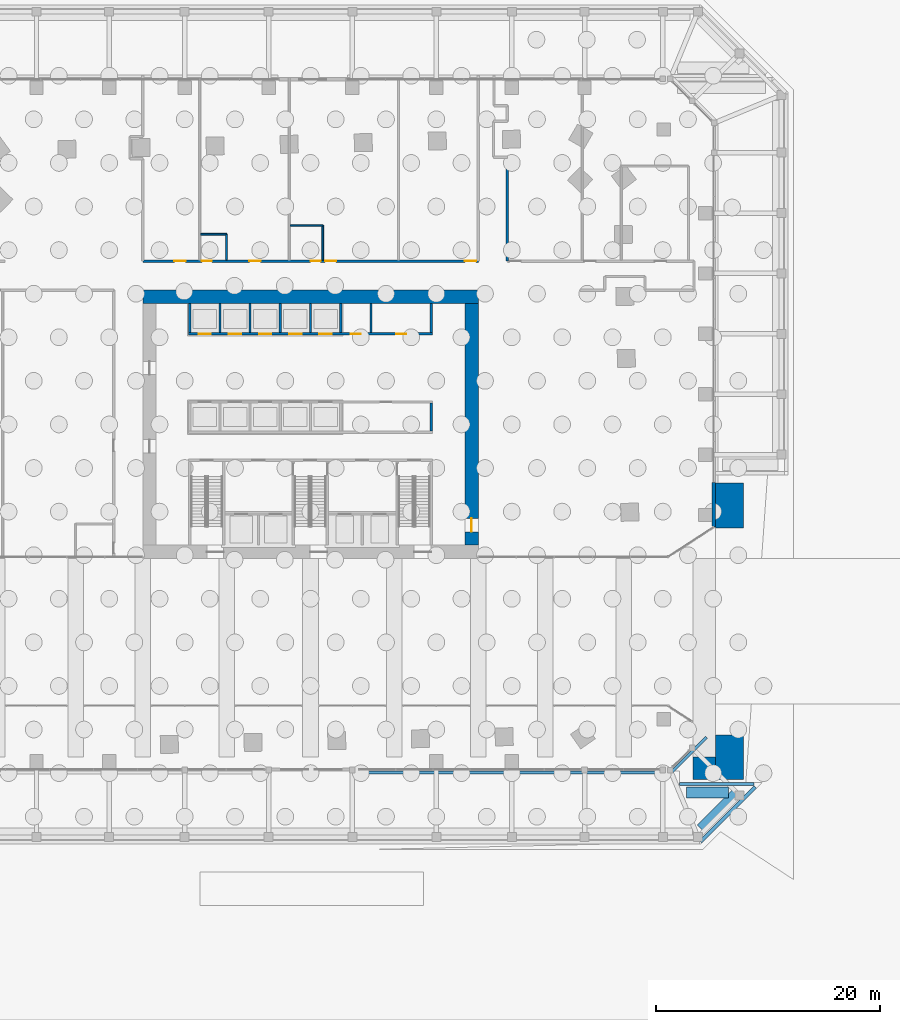
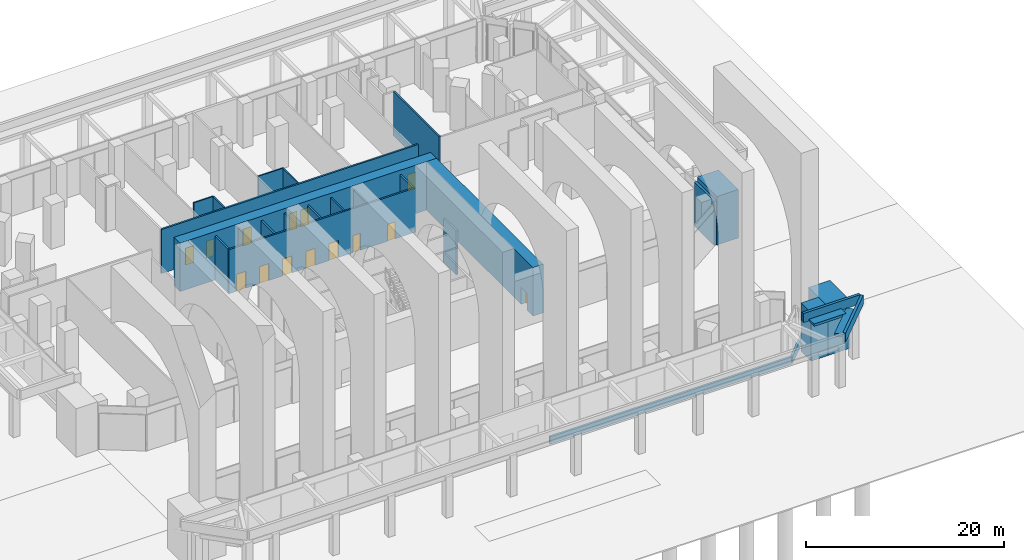
# One storey, part 40 of 46: 28 walls, 14 doors, 14 openings.
"""IFC4 building model written with IfcOpenShell, lengths in metres."""

import ifcopenshell
import ifcopenshell.guid

model = None  # the IFC model being written
_history = None  # IfcOwnerHistory: only IFC2X3 demands one
_inside = {}  # id of a spatial element -> (the spatial element, [elements in it])
_under = {}  # id of a project, library or spatial element -> (it, [spatial elements below it])
_declared = {}  # id of a project -> (the project, [libraries it declares])
_typed = {}  # id of a type object -> (the type object, [elements of that type])
_made_of = {}  # id of a material, layer set ... -> (it, [elements and type objects made of it])


def new_model(schema):
    """Start an empty IFC model of exactly this schema.

    Asked for "IFC4X3", IfcOpenShell would pick the latest addendum, in which some entities
    have other attributes; the version numbers below select the first issue.
    IFC2X3 requires an IfcOwnerHistory on every rooted entity: one is made here for all.
    """
    global model, _history
    if schema == "IFC4X3":
        model = ifcopenshell.file(schema_version=(4, 3, 0, 0))
    else:
        model = ifcopenshell.file(schema=schema)
    _inside.clear()
    _under.clear()
    _declared.clear()
    _typed.clear()
    _made_of.clear()
    _history = None
    if model.schema == "IFC2X3":
        org = make("IfcOrganization", Name="unknown")
        user = make(
            "IfcPersonAndOrganization",
            ThePerson=make("IfcPerson", FamilyName="unknown"),
            TheOrganization=org,
        )
        app = make(
            "IfcApplication",
            ApplicationDeveloper=org,
            Version="unknown",
            ApplicationFullName="unknown",
            ApplicationIdentifier="unknown",
        )
        _history = make(
            "IfcOwnerHistory",
            OwningUser=user,
            OwningApplication=app,
            ChangeAction="ADDED",
            CreationDate=0,
        )
    return model


def make(cls, **values):
    """One entity of the class cls with the attributes given. An attribute that is None is left unset."""
    return model.create_entity(
        cls, **{name: value for name, value in values.items() if value is not None}
    )


def rooted(cls, **values):
    """An entity with a GlobalId (a new one), such as an element, a storey or a relation."""
    return make(cls, GlobalId=ifcopenshell.guid.new(), OwnerHistory=_history, **values)


def si_unit(unit_type, name, prefix=None):
    """IfcSIUnit, for example si_unit("LENGTHUNIT", "METRE", prefix="MILLI")."""
    return make("IfcSIUnit", UnitType=unit_type, Prefix=prefix, Name=name)


def assignment(units):
    """IfcUnitAssignment: the units of a project."""
    return None if units is None else make("IfcUnitAssignment", Units=units)


def point(xyz):
    """IfcCartesianPoint."""
    return None if xyz is None else make("IfcCartesianPoint", Coordinates=xyz)


def direction(xyz):
    """IfcDirection."""
    return None if xyz is None else make("IfcDirection", DirectionRatios=xyz)


def frame(location, z_axis=None, x_axis=None):
    """IfcAxis2Placement3D, a coordinate frame: its origin and axes. An axis left out is left unset."""
    return make(
        "IfcAxis2Placement3D",
        Location=point(location),
        Axis=direction(z_axis),
        RefDirection=direction(x_axis),
    )


def frame_2d(location, x_axis=None):
    """IfcAxis2Placement2D, a coordinate frame in the plane: its origin and x axis."""
    return make(
        "IfcAxis2Placement2D", Location=point(location), RefDirection=direction(x_axis)
    )


def origin():
    """The frame at (0, 0, 0) with its axes left unset."""
    return frame((0.0, 0.0, 0.0))


def place(relative_to, where):
    """IfcLocalPlacement: puts the frame where relative to a parent placement (None: the world)."""
    return make(
        "IfcLocalPlacement", PlacementRelTo=relative_to, RelativePlacement=where
    )


def context(
    kind, dimensions, precision=None, world=None, true_north=None, identifier=None
):
    """IfcGeometricRepresentationContext, for example the 3D "Model" context."""
    return make(
        "IfcGeometricRepresentationContext",
        ContextIdentifier=identifier,
        ContextType=kind,
        CoordinateSpaceDimension=dimensions,
        Precision=precision,
        WorldCoordinateSystem=world,
        TrueNorth=true_north,
    )


def subcontext(parent, identifier, kind, view, scale=None):
    """IfcGeometricRepresentationSubContext, for example "Body" below "Model"."""
    return make(
        "IfcGeometricRepresentationSubContext",
        ContextIdentifier=identifier,
        ContextType=kind,
        ParentContext=parent,
        TargetScale=scale,
        TargetView=view,
    )


def project(units=None, contexts=None):
    """IfcProject with its units and contexts."""
    return rooted(
        "IfcProject",
        Name="project",
        RepresentationContexts=contexts,
        UnitsInContext=assignment(units),
    )


def spatial(cls, under=None, at=None, **own):
    """A site, building, storey or space (cls), placed at a placement, below another one or the project."""
    s = rooted(cls, ObjectPlacement=at, **own)
    if under is not None:
        _under.setdefault(under.id(), (under, []))[1].append(s)
    return s


def profile(cls, at=None, kind="AREA", **sizes):
    """A parametric profile (cls). Its sizes go by their IFC names, for example OverallWidth=200.0."""
    return make(cls, ProfileType=kind, Position=at, **sizes)


def rectangle(**sizes):
    """IfcRectangleProfileDef."""
    return profile("IfcRectangleProfileDef", **sizes)


def extrude(swept, where, along, depth):
    """IfcExtrudedAreaSolid: the profile swept, set in the frame where, extruded along a direction by depth."""
    return make(
        "IfcExtrudedAreaSolid",
        SweptArea=swept,
        Position=where,
        ExtrudedDirection=direction(along),
        Depth=depth,
    )


def shape(context_of_items, identifier, shape_type, items):
    """IfcShapeRepresentation: the items that make up one representation, for example the "Body"."""
    return make(
        "IfcShapeRepresentation",
        ContextOfItems=context_of_items,
        RepresentationIdentifier=identifier,
        RepresentationType=shape_type,
        Items=items,
    )


def material(Name=None, Category=None):
    """IfcMaterial."""
    return make("IfcMaterial", Name=Name, Category=Category)


def layer(
    of_material, thickness, ventilated=None, Name=None, Category=None, Priority=None
):
    """IfcMaterialLayer: one layer of a wall or slab, of a material (None: an air gap)."""
    return make(
        "IfcMaterialLayer",
        Material=of_material,
        LayerThickness=thickness,
        IsVentilated=ventilated,
        Name=Name,
        Category=Category,
        Priority=Priority,
    )


def layer_set(layers, Name=None):
    """IfcMaterialLayerSet."""
    return make("IfcMaterialLayerSet", MaterialLayers=layers, LayerSetName=Name)


def made_of(thing, what):
    """Note that an element or type object is made of a material, layer set ...; save() writes the relation."""
    if what is not None:
        _made_of.setdefault(what.id(), (what, []))[1].append(thing)
    return thing


def type_object(cls, material=None, **own):
    """A type object (cls), such as IfcWallType, which elements share."""
    return made_of(rooted(cls, **own), material)


def element(
    cls,
    number,
    at=None,
    inside=None,
    cuts=None,
    type_object=None,
    material=None,
    context=None,
    identifier="Body",
    shape_type=None,
    held_by="IfcProductDefinitionShape",
    body=None,
    shapes=None,
    **own,
):
    """One element of the class cls, such as IfcWall. Its Tag is "e" and its number.

    at: its placement. inside: the storey or other place that contains it. cuts: it is an
    opening in that element (IfcRelVoidsElement). A single representation is given by context,
    identifier, shape_type and body (its items); several are given by shapes. held_by: the class
    of the entity that holds the representations. save() writes the other relations.
    """
    e = rooted(cls, Tag="e%d" % number, ObjectPlacement=at, **own)
    if body is not None:
        shapes = [shape(context, identifier, shape_type, body)]
    if shapes is not None:
        e.Representation = make(held_by, Representations=shapes)
    if inside is not None:
        _inside.setdefault(inside.id(), (inside, []))[1].append(e)
    if cuts is not None:
        rooted(
            "IfcRelVoidsElement", RelatingBuildingElement=cuts, RelatedOpeningElement=e
        )
    if type_object is not None:
        _typed.setdefault(type_object.id(), (type_object, []))[1].append(e)
    return made_of(e, material)


def fill(opening, filler):
    """IfcRelFillsElement: the door or window that sits in an opening."""
    return rooted(
        "IfcRelFillsElement",
        RelatingOpeningElement=opening,
        RelatedBuildingElement=filler,
    )


def aggregate(whole, parts):
    """IfcRelAggregates: a whole, such as a stair, and the parts it consists of."""
    return rooted("IfcRelAggregates", RelatingObject=whole, RelatedObjects=parts)


def save(model, path):
    """Write the relations noted so far, then the file.

    IfcRelAggregates (storeys below a building ...), IfcRelContainedInSpatialStructure (elements
    in a storey), IfcRelDefinesByType, IfcRelAssociatesMaterial and IfcRelDeclares: one each for
    every whole, place, type object, material and project.
    """
    for whole, parts in _under.values():
        aggregate(whole, parts)
    for where, things in _inside.values():
        rooted(
            "IfcRelContainedInSpatialStructure",
            RelatedElements=things,
            RelatingStructure=where,
        )
    for kind, things in _typed.values():
        rooted("IfcRelDefinesByType", RelatedObjects=things, RelatingType=kind)
    for what, things in _made_of.values():
        rooted("IfcRelAssociatesMaterial", RelatedObjects=things, RelatingMaterial=what)
    for by, libraries in _declared.values():
        rooted("IfcRelDeclares", RelatingContext=by, RelatedDefinitions=libraries)
    model.write(path)


model = new_model("IFC4")

# Units and contexts
model_context = context("Model", 3, precision=1e-05, world=origin(), true_north=direction((0.0, 1.0)))
body_context = subcontext(model_context, "Body", "Model", "MODEL_VIEW")
ifc_project = project(units=[si_unit("LENGTHUNIT", "METRE"), si_unit("AREAUNIT", "SQUARE_METRE"), si_unit("VOLUMEUNIT", "CUBIC_METRE"), si_unit("PLANEANGLEUNIT", "RADIAN"), si_unit("MASSUNIT", "GRAM", prefix="KILO")], contexts=[model_context])

# Site, building, storey
site_placement = place(None, origin())
site = spatial("IfcSite", under=ifc_project, at=site_placement, CompositionType="ELEMENT")
building_placement = place(site_placement, origin())
building = spatial("IfcBuilding", under=site, at=building_placement, Name="Mangrove Gate Tower", CompositionType="ELEMENT")
storey_placement = place(building_placement, origin())
storey = spatial("IfcBuildingStorey", under=building, at=storey_placement, Name="L00", CompositionType="ELEMENT", Elevation=0.0)

# Walls
ifc_material_1 = material(Name="Limestone", Category="masonry")
ifc_layer_1 = layer(ifc_material_1, 0.300048828125, Name="Limestone canopy parapet")
ifc_layer_set_1 = layer_set([ifc_layer_1], Name="Canopy parapet 300 limestone")
wall_type_1 = type_object("IfcWallType", Name="Canopy parapet 300 limestone", PredefinedType="PARAPET", material=ifc_layer_set_1)
wall_1_placement = place(storey_placement, frame((34.8740234375, -37.305908203125, 5.5), z_axis=(0.0, 0.0, 1.0), x_axis=(0.707106781187, 0.707106781187, 0.0)))
element("IfcWall", 1, at=wall_1_placement, inside=storey, type_object=wall_type_1, Name="Canopy parapet S 0.4", PredefinedType="PARAPET", context=body_context, shape_type="SweptSolid", body=[
    extrude(rectangle(XDim=6.929443359375, YDim=0.300048828125, at=frame_2d((3.46484375, 0.0))), origin(), (0.0, 0.0, 1.0), 1.14990234375),
])
wall_2_placement = place(storey_placement, frame((39.66796875, -32.14990234375, 5.5), z_axis=(0.0, 0.0, 1.0), x_axis=(-1.0, 0.0, 0.0)))
element("IfcWall", 2, at=wall_2_placement, inside=storey, type_object=wall_type_1, Name="Canopy parapet S 0.5", PredefinedType="PARAPET", context=body_context, shape_type="SweptSolid", body=[
    extrude(rectangle(XDim=6.66796875, YDim=0.300048828125, at=frame_2d((3.333984375, 0.0))), origin(), (0.0, 0.0, 1.0), 1.14990234375),
])
ifc_material_2 = material(Name="Green roof substrate in aluminium tray", Category="aluminium")
ifc_layer_2 = layer(ifc_material_2, 1.0, Name="Planting bed")
ifc_layer_set_2 = layer_set([ifc_layer_2], Name="Canopy planter bed 1000x300")
wall_type_2 = type_object("IfcWallType", Name="Canopy planter bed 1000x300", PredefinedType="SOLIDWALL", material=ifc_layer_set_2)
wall_3_placement = place(storey_placement, frame((34.945068359375, -36.175048828125, 5.5), z_axis=(0.0, 0.0, 1.0), x_axis=(0.706974929621, 0.707238608171, 0.0)))
element("IfcWall", 3, at=wall_3_placement, inside=storey, type_object=wall_type_2, Name="CANOPY PLANTING S 0.4", PredefinedType="SOLIDWALL", context=body_context, shape_type="SweptSolid", body=[
    extrude(rectangle(XDim=4.62939453125, YDim=1.0, at=frame_2d((2.314697265625, 0.0))), origin(), (0.0, 0.0, 1.0), 0.300048828125),
])
wall_4_placement = place(storey_placement, frame((37.367919921875, -32.89990234375, 5.5), z_axis=(0.0, 0.0, 1.0), x_axis=(-1.0, 0.0, 0.0)))
element("IfcWall", 4, at=wall_4_placement, inside=storey, type_object=wall_type_2, Name="CANOPY PLANTING S 0.5", PredefinedType="SOLIDWALL", context=body_context, shape_type="SweptSolid", body=[
    extrude(rectangle(XDim=3.767822265625, YDim=1.0, at=frame_2d((1.8837890625, 0.0))), origin(), (0.0, 0.0, 1.0), 0.300048828125),
])
ifc_material_3 = material(Name="Concrete C32/40", Category="concrete")
ifc_layer_3 = layer(ifc_material_3, 0.199951171875)
ifc_layer_set_3 = layer_set([ifc_layer_3], Name="Core room wall 200 C32/40")
wall_type_3 = type_object("IfcWallType", Name="Core room wall 200 C32/40", PredefinedType="STANDARD", material=ifc_layer_set_3)
wall_5_placement = place(storey_placement, frame((10.800048828125, -0.60009765625, 0.0), z_axis=(0.0, 0.0, 1.0), x_axis=(0.0, 1.0, 0.0)))
element("IfcWall", 5, at=wall_5_placement, inside=storey, type_object=wall_type_3, Name="WALL-L00-CORE-25", PredefinedType="STANDARD", context=body_context, shape_type="SweptSolid", body=[
    extrude(rectangle(XDim=2.5, YDim=0.199951171875, at=frame_2d((1.25, 0.0))), origin(), (0.0, 0.0, 1.0), 5.449951171875),
])
for number, where, z_axis, x_axis, name in (
    (6, (5.39990234375, 8.199951171875, 0.0), (0.0, 0.0, 1.0), (0.0, 1.0, 0.0), "WALL-L00-CORE-32"),
    (7, (10.800048828125, 8.199951171875, 0.0), (0.0, 0.0, 1.0), (0.0, 1.0, 0.0), "WALL-L00-CORE-33"),
):
    element("IfcWall", number, at=place(storey_placement, frame(where, z_axis=z_axis, x_axis=x_axis)), inside=storey, type_object=wall_type_3, Name=name, PredefinedType="STANDARD", context=body_context, shape_type="SweptSolid", body=[
        extrude(rectangle(XDim=2.60009765625, YDim=0.199951171875, at=frame_2d((1.300048828125, 0.0))), origin(), (0.0, 0.0, 1.0), 5.449951171875),
    ])

# Wall, openings, doors
ifc_material_4 = material(Name="Concrete C70/85", Category="concrete")
ifc_layer_4 = layer(ifc_material_4, 0.199951171875)
ifc_layer_set_4 = layer_set([ifc_layer_4], Name="Core shaft wall 200 C70/85")
wall_type_4 = type_object("IfcWallType", Name="Core shaft wall 200 C70/85", PredefinedType="SHEAR", material=ifc_layer_set_4)
wall_6_placement = place(storey_placement, frame((-10.89990234375, 8.10009765625, 0.0), z_axis=(0.0, 0.0, 1.0), x_axis=(1.0, 0.0, 0.0)))
wall_6 = element("IfcWall", 8, at=wall_6_placement, inside=storey, type_object=wall_type_4, Name="WALL-L00-CORE-8", PredefinedType="SHEAR", context=body_context, shape_type="SweptSolid", body=[
    extrude(rectangle(XDim=21.7998046875, YDim=0.199951171875, at=frame_2d((10.89990234375, 0.0))), origin(), (0.0, 0.0, 1.0), 5.449951171875),
])
opening_1_placement = place(wall_6_placement, frame((0.89990234375, 0.0, 0.0)))
opening_1 = element("IfcOpeningElement", 9, at=opening_1_placement, cuts=wall_6, Name="Opening LD", PredefinedType="OPENING", context=body_context, shape_type="SweptSolid", body=[
    extrude(rectangle(XDim=1.10009765625, YDim=2.10009765625, at=frame_2d((0.550048828125, 1.050048828125))), frame((0.0, 0.10986328125, 0.0), z_axis=(0.0, -1.0, 0.0), x_axis=(1.0, 0.0, 0.0)), (0.0, 0.0, 1.0), 0.219970703125),
])
opening_2_placement = place(wall_6_placement, frame((3.60009765625, 0.0, 0.0)))
opening_2 = element("IfcOpeningElement", 10, at=opening_2_placement, cuts=wall_6, Name="Opening LD", PredefinedType="OPENING", context=body_context, shape_type="SweptSolid", body=[
    extrude(rectangle(XDim=1.10009765625, YDim=2.10009765625, at=frame_2d((0.550048828125, 1.050048828125))), frame((0.0, 0.10986328125, 0.0), z_axis=(0.0, -1.0, 0.0), x_axis=(1.0, 0.0, 0.0)), (0.0, 0.0, 1.0), 0.219970703125),
])
opening_3_placement = place(wall_6_placement, frame((6.300048828125, 0.0, 0.0)))
opening_3 = element("IfcOpeningElement", 11, at=opening_3_placement, cuts=wall_6, Name="Opening LD", PredefinedType="OPENING", context=body_context, shape_type="SweptSolid", body=[
    extrude(rectangle(XDim=1.10009765625, YDim=2.10009765625, at=frame_2d((0.550048828125, 1.050048828125))), frame((0.0, 0.10986328125, 0.0), z_axis=(0.0, -1.0, 0.0), x_axis=(1.0, 0.0, 0.0)), (0.0, 0.0, 1.0), 0.219970703125),
])
opening_4_placement = place(wall_6_placement, frame((9.0, 0.0, 0.0)))
opening_4 = element("IfcOpeningElement", 12, at=opening_4_placement, cuts=wall_6, Name="Opening LD", PredefinedType="OPENING", context=body_context, shape_type="SweptSolid", body=[
    extrude(rectangle(XDim=1.10009765625, YDim=2.10009765625, at=frame_2d((0.550048828125, 1.050048828125))), frame((0.0, 0.10986328125, 0.0), z_axis=(0.0, -1.0, 0.0), x_axis=(1.0, 0.0, 0.0)), (0.0, 0.0, 1.0), 0.219970703125),
])
opening_5_placement = place(wall_6_placement, frame((11.699951171875, 0.0, 0.0)))
opening_5 = element("IfcOpeningElement", 13, at=opening_5_placement, cuts=wall_6, Name="Opening LD", PredefinedType="OPENING", context=body_context, shape_type="SweptSolid", body=[
    extrude(rectangle(XDim=1.10009765625, YDim=2.10009765625, at=frame_2d((0.550048828125, 1.050048828125))), frame((0.0, 0.10986328125, 0.0), z_axis=(0.0, -1.0, 0.0), x_axis=(1.0, 0.0, 0.0)), (0.0, 0.0, 1.0), 0.219970703125),
])
opening_6_placement = place(wall_6_placement, frame((14.5, 0.0, 0.0)))
opening_6 = element("IfcOpeningElement", 14, at=opening_6_placement, cuts=wall_6, Name="Opening KD", PredefinedType="OPENING", context=body_context, shape_type="SweptSolid", body=[
    extrude(rectangle(XDim=0.89990234375, YDim=2.10009765625, at=frame_2d((0.449951171875, 1.050048828125))), frame((0.0, 0.10986328125, 0.0), z_axis=(0.0, -1.0, 0.0), x_axis=(1.0, 0.0, 0.0)), (0.0, 0.0, 1.0), 0.219970703125),
])
opening_7_placement = place(wall_6_placement, frame((18.550048828125, 0.0, 0.0)))
opening_7 = element("IfcOpeningElement", 15, at=opening_7_placement, cuts=wall_6, Name="Opening RD", PredefinedType="OPENING", context=body_context, shape_type="SweptSolid", body=[
    extrude(rectangle(XDim=0.89990234375, YDim=2.10009765625, at=frame_2d((0.449951171875, 1.050048828125))), frame((0.0, 0.10986328125, 0.0), z_axis=(0.0, -1.0, 0.0), x_axis=(1.0, 0.0, 0.0)), (0.0, 0.0, 1.0), 0.219970703125),
])
ifc_material_5 = material(Name="Fire-rated steel door set", Category="steel")
door_type_1 = type_object("IfcDoorType", Name="Core room door FD30S 900x2100", OperationType="SINGLE_SWING_RIGHT", PredefinedType="DOOR", material=ifc_material_5)
door_1_placement = place(opening_6_placement, origin())
door_1 = element("IfcDoor", 16, at=door_1_placement, inside=storey, type_object=door_type_1, Name="Core room door Linen store", OperationType="SINGLE_SWING_RIGHT", OverallHeight=2.10009765625, OverallWidth=0.89990234375, PredefinedType="DOOR", context=body_context, shape_type="SweptSolid", body=[
    extrude(rectangle(XDim=0.89990234375, YDim=2.10009765625, at=frame_2d((0.449951171875, 1.050048828125))), frame((0.0, 0.02490234375, 0.0), z_axis=(0.0, -1.0, 0.0), x_axis=(1.0, 0.0, 0.0)), (0.0, 0.0, 1.0), 0.050048828125),
])
fill(opening_6, door_1)
ifc_material_6 = material(Name="Stainless steel 316", Category="steel")
door_type_2 = type_object("IfcDoorType", Name="Lift landing door 1100x2100", OperationType="SLIDING_TO_LEFT", PredefinedType="DOOR", material=ifc_material_6)
door_2_placement = place(opening_1_placement, origin())
door_2 = element("IfcDoor", 17, at=door_2_placement, inside=storey, type_object=door_type_2, Name="Landing door LD P06", OperationType="SLIDING_TO_LEFT", OverallHeight=2.10009765625, OverallWidth=1.10009765625, PredefinedType="DOOR", context=body_context, shape_type="SweptSolid", body=[
    extrude(rectangle(XDim=1.10009765625, YDim=2.10009765625, at=frame_2d((0.550048828125, 1.050048828125))), frame((0.0, 0.02490234375, 0.0), z_axis=(0.0, -1.0, 0.0), x_axis=(1.0, 0.0, 0.0)), (0.0, 0.0, 1.0), 0.050048828125),
])
fill(opening_1, door_2)
door_3_placement = place(opening_2_placement, origin())
door_3 = element("IfcDoor", 18, at=door_3_placement, inside=storey, type_object=door_type_2, Name="Landing door LD P07", OperationType="SLIDING_TO_LEFT", OverallHeight=2.10009765625, OverallWidth=1.10009765625, PredefinedType="DOOR", context=body_context, shape_type="SweptSolid", body=[
    extrude(rectangle(XDim=1.10009765625, YDim=2.10009765625, at=frame_2d((0.550048828125, 1.050048828125))), frame((0.0, 0.02490234375, 0.0), z_axis=(0.0, -1.0, 0.0), x_axis=(1.0, 0.0, 0.0)), (0.0, 0.0, 1.0), 0.050048828125),
])
fill(opening_2, door_3)
door_4_placement = place(opening_3_placement, origin())
door_4 = element("IfcDoor", 19, at=door_4_placement, inside=storey, type_object=door_type_2, Name="Landing door LD P08", OperationType="SLIDING_TO_LEFT", OverallHeight=2.10009765625, OverallWidth=1.10009765625, PredefinedType="DOOR", context=body_context, shape_type="SweptSolid", body=[
    extrude(rectangle(XDim=1.10009765625, YDim=2.10009765625, at=frame_2d((0.550048828125, 1.050048828125))), frame((0.0, 0.02490234375, 0.0), z_axis=(0.0, -1.0, 0.0), x_axis=(1.0, 0.0, 0.0)), (0.0, 0.0, 1.0), 0.050048828125),
])
fill(opening_3, door_4)
door_5_placement = place(opening_4_placement, origin())
door_5 = element("IfcDoor", 20, at=door_5_placement, inside=storey, type_object=door_type_2, Name="Landing door LD P09", OperationType="SLIDING_TO_LEFT", OverallHeight=2.10009765625, OverallWidth=1.10009765625, PredefinedType="DOOR", context=body_context, shape_type="SweptSolid", body=[
    extrude(rectangle(XDim=1.10009765625, YDim=2.10009765625, at=frame_2d((0.550048828125, 1.050048828125))), frame((0.0, 0.02490234375, 0.0), z_axis=(0.0, -1.0, 0.0), x_axis=(1.0, 0.0, 0.0)), (0.0, 0.0, 1.0), 0.050048828125),
])
fill(opening_4, door_5)
door_6_placement = place(opening_5_placement, origin())
door_6 = element("IfcDoor", 21, at=door_6_placement, inside=storey, type_object=door_type_2, Name="Landing door LD P10", OperationType="SLIDING_TO_LEFT", OverallHeight=2.10009765625, OverallWidth=1.10009765625, PredefinedType="DOOR", context=body_context, shape_type="SweptSolid", body=[
    extrude(rectangle(XDim=1.10009765625, YDim=2.10009765625, at=frame_2d((0.550048828125, 1.050048828125))), frame((0.0, 0.02490234375, 0.0), z_axis=(0.0, -1.0, 0.0), x_axis=(1.0, 0.0, 0.0)), (0.0, 0.0, 1.0), 0.050048828125),
])
fill(opening_5, door_6)
ifc_material_7 = material(Name="Fire-rated steel door set", Category="steel")
door_type_3 = type_object("IfcDoorType", Name="Riser door FD30S 900x2100", OperationType="SINGLE_SWING_LEFT", PredefinedType="DOOR", material=ifc_material_7)
door_7_placement = place(opening_7_placement, origin())
door_7 = element("IfcDoor", 22, at=door_7_placement, inside=storey, type_object=door_type_3, Name="Riser door Switch room", OperationType="SINGLE_SWING_LEFT", OverallHeight=2.10009765625, OverallWidth=0.89990234375, PredefinedType="DOOR", context=body_context, shape_type="SweptSolid", body=[
    extrude(rectangle(XDim=0.89990234375, YDim=2.10009765625, at=frame_2d((0.449951171875, 1.050048828125))), frame((0.0, 0.02490234375, 0.0), z_axis=(0.0, -1.0, 0.0), x_axis=(1.0, 0.0, 0.0)), (0.0, 0.0, 1.0), 0.050048828125),
])
fill(opening_7, door_7)

# Walls
for number, where, z_axis, x_axis, name in (
    (23, (-10.800048828125, 8.199951171875, 0.0), (0.0, 0.0, 1.0), (0.0, 1.0, 0.0), "WALL-L00-CORE-26"),
    (24, (-8.10009765625, 8.199951171875, 0.0), (0.0, 0.0, 1.0), (0.0, 1.0, 0.0), "WALL-L00-CORE-27"),
    (25, (-5.39990234375, 8.199951171875, 0.0), (0.0, 0.0, 1.0), (0.0, 1.0, 0.0), "WALL-L00-CORE-28"),
    (26, (-2.699951171875, 8.199951171875, 0.0), (0.0, 0.0, 1.0), (0.0, 1.0, 0.0), "WALL-L00-CORE-29"),
    (27, (0.0, 8.199951171875, 0.0), (0.0, 0.0, 1.0), (0.0, 1.0, 0.0), "WALL-L00-CORE-30"),
    (28, (2.699951171875, 8.199951171875, 0.0), (0.0, 0.0, 1.0), (0.0, 1.0, 0.0), "WALL-L00-CORE-31"),
):
    element("IfcWall", number, at=place(storey_placement, frame(where, z_axis=z_axis, x_axis=x_axis)), inside=storey, type_object=wall_type_4, Name=name, PredefinedType="SHEAR", context=body_context, shape_type="SweptSolid", body=[
        extrude(rectangle(XDim=2.60009765625, YDim=0.199951171875, at=frame_2d((1.300048828125, 0.0))), origin(), (0.0, 0.0, 1.0), 5.449951171875),
    ])
ifc_material_8 = material(Name="Concrete C70/85", Category="concrete")
ifc_layer_5 = layer(ifc_material_8, 1.199951171875)
ifc_layer_set_5 = layer_set([ifc_layer_5], Name="Core wall 1200 C70/85")
wall_type_5 = type_object("IfcWallType", Name="Core wall 1200 C70/85", PredefinedType="SHEAR", material=ifc_layer_set_5)
wall_7_placement = place(storey_placement, frame((-15.0, 11.39990234375, 0.0), z_axis=(0.0, 0.0, 1.0), x_axis=(1.0, 0.0, 0.0)))
element("IfcWall", 29, at=wall_7_placement, inside=storey, type_object=wall_type_5, Name="WALL-L00-CORE-2", PredefinedType="SHEAR", context=body_context, shape_type="SweptSolid", body=[
    extrude(rectangle(XDim=30.0, YDim=1.199951171875, at=frame_2d((15.0, 0.0))), origin(), (0.0, 0.0, 1.0), 6.0),
])

# Wall, opening, door
wall_8_placement = place(storey_placement, frame((14.39990234375, -10.800048828125, 0.0), z_axis=(0.0, 0.0, 1.0), x_axis=(0.0, 1.0, 0.0)))
wall_8 = element("IfcWall", 30, at=wall_8_placement, inside=storey, type_object=wall_type_5, Name="WALL-L00-CORE-4", PredefinedType="SHEAR", context=body_context, shape_type="SweptSolid", body=[
    extrude(rectangle(XDim=21.60009765625, YDim=1.199951171875, at=frame_2d((10.800048828125, 0.0))), origin(), (0.0, 0.0, 1.0), 6.0),
])
opening_8_placement = place(wall_8_placement, frame((1.199951171875, 0.0, 0.0)))
opening_8 = element("IfcOpeningElement", 31, at=opening_8_placement, cuts=wall_8, Name="Opening CD", PredefinedType="OPENING", context=body_context, shape_type="SweptSolid", body=[
    extrude(rectangle(XDim=1.199951171875, YDim=2.10009765625, at=frame_2d((0.60009765625, 1.050048828125))), frame((0.0, 0.60986328125, 0.0), z_axis=(0.0, -1.0, 0.0), x_axis=(1.0, 0.0, 0.0)), (0.0, 0.0, 1.0), 1.219970703125),
])
ifc_material_9 = material(Name="Fire-rated steel door set", Category="steel")
door_type_4 = type_object("IfcDoorType", Name="Core ring door FD60 1200x2100", OperationType="DOUBLE_DOOR_SINGLE_SWING", PredefinedType="DOOR", material=ifc_material_9)
door_8_placement = place(opening_8_placement, origin())
door_8 = element("IfcDoor", 32, at=door_8_placement, inside=storey, type_object=door_type_4, Name="Core ring door E1", OperationType="DOUBLE_DOOR_SINGLE_SWING", OverallHeight=2.10009765625, OverallWidth=1.199951171875, PredefinedType="DOOR", context=body_context, shape_type="SweptSolid", body=[
    extrude(rectangle(XDim=1.199951171875, YDim=2.10009765625, at=frame_2d((0.60009765625, 1.050048828125))), frame((0.0, 0.02490234375, 0.0), z_axis=(0.0, -1.0, 0.0), x_axis=(1.0, 0.0, 0.0)), (0.0, 0.0, 1.0), 0.050048828125),
])
fill(opening_8, door_8)

# Wall, openings, doors
ifc_material_10 = material(Name="Gypsum board on steel stud, EI 60", Category="steel")
ifc_layer_6 = layer(ifc_material_10, 0.199951171875)
ifc_layer_set_6 = layer_set([ifc_layer_6], Name="Corridor wall EI 60")
wall_type_6 = type_object("IfcWallType", Name="Corridor wall EI 60", PredefinedType="PARTITIONING", material=ifc_layer_set_6)
wall_9_placement = place(storey_placement, frame((-15.0, 14.60009765625, 0.0), z_axis=(0.0, 0.0, 1.0), x_axis=(1.0, 0.0, 0.0)))
wall_9 = element("IfcWall", 33, at=wall_9_placement, inside=storey, type_object=wall_type_6, Name="WALL-L00-016", PredefinedType="PARTITIONING", context=body_context, shape_type="SweptSolid", body=[
    extrude(rectangle(XDim=30.0, YDim=0.199951171875, at=frame_2d((15.0, 0.0))), origin(), (0.0, 0.0, 1.0), 5.449951171875),
])
opening_9_placement = place(wall_9_placement, frame((2.8330078125, 0.0, 0.0)))
opening_9 = element("IfcOpeningElement", 34, at=opening_9_placement, cuts=wall_9, Name="Opening AD", PredefinedType="OPENING", context=body_context, shape_type="SweptSolid", body=[
    extrude(rectangle(XDim=1.0, YDim=2.10009765625, at=frame_2d((0.5, 1.050048828125))), frame((0.0, 0.10986328125, 0.0), z_axis=(0.0, -1.0, 0.0), x_axis=(1.0, 0.0, 0.0)), (0.0, 0.0, 1.0), 0.219970703125),
])
opening_10_placement = place(wall_9_placement, frame((9.534912109375, 0.0, 0.0)))
opening_10 = element("IfcOpeningElement", 35, at=opening_10_placement, cuts=wall_9, Name="Opening AD", PredefinedType="OPENING", context=body_context, shape_type="SweptSolid", body=[
    extrude(rectangle(XDim=1.0, YDim=2.10009765625, at=frame_2d((0.5, 1.050048828125))), frame((0.0, 0.10986328125, 0.0), z_axis=(0.0, -1.0, 0.0), x_axis=(1.0, 0.0, 0.0)), (0.0, 0.0, 1.0), 0.219970703125),
])
opening_11_placement = place(wall_9_placement, frame((5.2900390625, 0.0, 0.0)))
opening_11 = element("IfcOpeningElement", 36, at=opening_11_placement, cuts=wall_9, Name="Opening SD", PredefinedType="OPENING", context=body_context, shape_type="SweptSolid", body=[
    extrude(rectangle(XDim=0.89990234375, YDim=2.10009765625, at=frame_2d((0.449951171875, 1.050048828125))), frame((0.0, 0.10986328125, 0.0), z_axis=(0.0, -1.0, 0.0), x_axis=(1.0, 0.0, 0.0)), (0.0, 0.0, 1.0), 0.219970703125),
])
opening_12_placement = place(wall_9_placement, frame((16.300048828125, 0.0, 0.0)))
opening_12 = element("IfcOpeningElement", 37, at=opening_12_placement, cuts=wall_9, Name="Opening AD", PredefinedType="OPENING", context=body_context, shape_type="SweptSolid", body=[
    extrude(rectangle(XDim=1.0, YDim=2.10009765625, at=frame_2d((0.5, 1.050048828125))), frame((0.0, 0.10986328125, 0.0), z_axis=(0.0, -1.0, 0.0), x_axis=(1.0, 0.0, 0.0)), (0.0, 0.0, 1.0), 0.219970703125),
])
opening_13_placement = place(wall_9_placement, frame((15.0, 0.0, 0.0)))
opening_13 = element("IfcOpeningElement", 38, at=opening_13_placement, cuts=wall_9, Name="Opening SD", PredefinedType="OPENING", context=body_context, shape_type="SweptSolid", body=[
    extrude(rectangle(XDim=0.89990234375, YDim=2.10009765625, at=frame_2d((0.449951171875, 1.050048828125))), frame((0.0, 0.10986328125, 0.0), z_axis=(0.0, -1.0, 0.0), x_axis=(1.0, 0.0, 0.0)), (0.0, 0.0, 1.0), 0.219970703125),
])
opening_14_placement = place(wall_9_placement, frame((28.800048828125, 0.0, 0.0)))
opening_14 = element("IfcOpeningElement", 39, at=opening_14_placement, cuts=wall_9, Name="Opening AD", PredefinedType="OPENING", context=body_context, shape_type="SweptSolid", body=[
    extrude(rectangle(XDim=1.0, YDim=2.10009765625, at=frame_2d((0.5, 1.050048828125))), frame((0.0, 0.10986328125, 0.0), z_axis=(0.0, -1.0, 0.0), x_axis=(1.0, 0.0, 0.0)), (0.0, 0.0, 1.0), 0.219970703125),
])
ifc_material_11 = material(Name="Timber door leaf", Category="wood")
door_type_5 = type_object("IfcDoorType", Name="Amenity door 1000", OperationType="SINGLE_SWING_LEFT", PredefinedType="DOOR", material=ifc_material_11)
door_9_placement = place(opening_9_placement, origin())
door_9 = element("IfcDoor", 40, at=door_9_placement, inside=storey, type_object=door_type_5, Name="DOOR-L00-POD-04", OperationType="SINGLE_SWING_RIGHT", OverallHeight=2.10009765625, OverallWidth=1.0, PredefinedType="DOOR", context=body_context, shape_type="SweptSolid", body=[
    extrude(rectangle(XDim=1.0, YDim=2.10009765625, at=frame_2d((0.5, 1.050048828125))), frame((0.0, 0.02490234375, 0.0), z_axis=(0.0, -1.0, 0.0), x_axis=(1.0, 0.0, 0.0)), (0.0, 0.0, 1.0), 0.050048828125),
])
fill(opening_9, door_9)
door_10_placement = place(opening_10_placement, origin())
door_10 = element("IfcDoor", 41, at=door_10_placement, inside=storey, type_object=door_type_5, Name="DOOR-L00-POD-05", OperationType="SINGLE_SWING_LEFT", OverallHeight=2.10009765625, OverallWidth=1.0, PredefinedType="DOOR", context=body_context, shape_type="SweptSolid", body=[
    extrude(rectangle(XDim=1.0, YDim=2.10009765625, at=frame_2d((0.5, 1.050048828125))), frame((0.0, 0.02490234375, 0.0), z_axis=(0.0, -1.0, 0.0), x_axis=(1.0, 0.0, 0.0)), (0.0, 0.0, 1.0), 0.050048828125),
])
fill(opening_10, door_10)
door_11_placement = place(opening_12_placement, origin())
door_11 = element("IfcDoor", 42, at=door_11_placement, inside=storey, type_object=door_type_5, Name="DOOR-L00-POD-06", OperationType="SINGLE_SWING_RIGHT", OverallHeight=2.10009765625, OverallWidth=1.0, PredefinedType="DOOR", context=body_context, shape_type="SweptSolid", body=[
    extrude(rectangle(XDim=1.0, YDim=2.10009765625, at=frame_2d((0.5, 1.050048828125))), frame((0.0, 0.02490234375, 0.0), z_axis=(0.0, -1.0, 0.0), x_axis=(1.0, 0.0, 0.0)), (0.0, 0.0, 1.0), 0.050048828125),
])
fill(opening_12, door_11)
door_12_placement = place(opening_14_placement, origin())
door_12 = element("IfcDoor", 43, at=door_12_placement, inside=storey, type_object=door_type_5, Name="DOOR-L00-POD-07", OperationType="SINGLE_SWING_LEFT", OverallHeight=2.10009765625, OverallWidth=1.0, PredefinedType="DOOR", context=body_context, shape_type="SweptSolid", body=[
    extrude(rectangle(XDim=1.0, YDim=2.10009765625, at=frame_2d((0.5, 1.050048828125))), frame((0.0, 0.02490234375, 0.0), z_axis=(0.0, -1.0, 0.0), x_axis=(1.0, 0.0, 0.0)), (0.0, 0.0, 1.0), 0.050048828125),
])
fill(opening_14, door_12)
ifc_material_12 = material(Name="Timber door leaf", Category="wood")
door_type_6 = type_object("IfcDoorType", Name="Service room door 900", OperationType="SINGLE_SWING_LEFT", PredefinedType="DOOR", material=ifc_material_12)
door_13_placement = place(opening_11_placement, origin())
door_13 = element("IfcDoor", 44, at=door_13_placement, inside=storey, type_object=door_type_6, Name="DOOR-L00-PSV-05", OperationType="SINGLE_SWING_RIGHT", OverallHeight=2.10009765625, OverallWidth=0.89990234375, PredefinedType="DOOR", context=body_context, shape_type="SweptSolid", body=[
    extrude(rectangle(XDim=0.89990234375, YDim=2.10009765625, at=frame_2d((0.449951171875, 1.050048828125))), frame((0.0, 0.02490234375, 0.0), z_axis=(0.0, -1.0, 0.0), x_axis=(1.0, 0.0, 0.0)), (0.0, 0.0, 1.0), 0.050048828125),
])
fill(opening_11, door_13)
door_14_placement = place(opening_13_placement, origin())
door_14 = element("IfcDoor", 45, at=door_14_placement, inside=storey, type_object=door_type_6, Name="DOOR-L00-PSV-06", OperationType="SINGLE_SWING_LEFT", OverallHeight=2.10009765625, OverallWidth=0.89990234375, PredefinedType="DOOR", context=body_context, shape_type="SweptSolid", body=[
    extrude(rectangle(XDim=0.89990234375, YDim=2.10009765625, at=frame_2d((0.449951171875, 1.050048828125))), frame((0.0, 0.02490234375, 0.0), z_axis=(0.0, -1.0, 0.0), x_axis=(1.0, 0.0, 0.0)), (0.0, 0.0, 1.0), 0.050048828125),
])
fill(opening_13, door_14)

# Walls
wall_10_placement = place(storey_placement, frame((17.60009765625, 14.60009765625, 0.0), z_axis=(0.0, 0.0, 1.0), x_axis=(0.0, 1.0, 0.0)))
element("IfcWall", 46, at=wall_10_placement, inside=storey, type_object=wall_type_6, Name="WALL-L00-025", PredefinedType="PARTITIONING", context=body_context, shape_type="SweptSolid", body=[
    extrude(rectangle(XDim=9.30078125, YDim=0.199951171875, at=frame_2d((4.650390625, 0.0))), origin(), (0.0, 0.0, 1.0), 5.449951171875),
])
ifc_layer_7 = layer(ifc_material_1, 0.0400390625, Name="Limestone cladding")
ifc_material_13 = material(Name="Ventilated air gap")
ifc_layer_8 = layer(ifc_material_13, 0.0400390625, Name="Ventilated cavity")
ifc_material_14 = material(Name="Mineral wool insulation")
ifc_layer_9 = layer(ifc_material_14, 0.06005859375, Name="Insulation")
ifc_material_15 = material(Name="Breather membrane")
ifc_layer_10 = layer(ifc_material_15, 0.001953125, Name="Breather membrane")
ifc_material_16 = material(Name="Concrete C20/25 blockwork", Category="masonry")
ifc_layer_11 = layer(ifc_material_16, 0.14990234375, Name="Blockwork backing wall")
ifc_material_17 = material(Name="Gypsum plaster")
ifc_layer_12 = layer(ifc_material_17, 0.008056640625, Name="Internal plaster")
ifc_layer_set_7 = layer_set([ifc_layer_7, ifc_layer_8, ifc_layer_9, ifc_layer_10, ifc_layer_11, ifc_layer_12], Name="External wall 300 limestone cladding")
wall_type_7 = type_object("IfcWallType", Name="External wall 300 limestone cladding", PredefinedType="SOLIDWALL", material=ifc_layer_set_7)
wall_11_placement = place(storey_placement, frame((36.050048828125, -9.1689453125, 0.0), z_axis=(0.0, 0.0, 1.0), x_axis=(0.0, 1.0, 0.0)))
element("IfcWall", 47, at=wall_11_placement, inside=storey, type_object=wall_type_7, Name="WALL-L00-E3100", PredefinedType="SOLIDWALL", context=body_context, shape_type="SweptSolid", body=[
    extrude(rectangle(XDim=3.98388671875, YDim=0.300048828125, at=frame_2d((1.991943359375, 0.0))), origin(), (0.0, 0.0, 1.0), 5.449951171875),
])
ifc_material_18 = material(Name="Gypsum board on steel stud, EI 60", Category="steel")
ifc_layer_13 = layer(ifc_material_18, 0.14990234375)
ifc_layer_set_8 = layer_set([ifc_layer_13], Name="Party wall 150 EI 60")
wall_type_8 = type_object("IfcWallType", Name="Party wall 150 EI 60", PredefinedType="PARTITIONING", material=ifc_layer_set_8)
wall_12_placement = place(storey_placement, frame((-7.510009765625, 14.699951171875, 0.0), z_axis=(0.0, 0.0, 1.0), x_axis=(0.0, 1.0, 0.0)))
element("IfcWall", 48, at=wall_12_placement, inside=storey, type_object=wall_type_8, Name="WALL-L00-019", PredefinedType="PARTITIONING", context=body_context, shape_type="SweptSolid", body=[
    extrude(rectangle(XDim=2.300048828125, YDim=0.14990234375, at=frame_2d((1.14990234375, 0.0))), origin(), (0.0, 0.0, 1.0), 5.449951171875),
])
wall_13_placement = place(storey_placement, frame((1.10009765625, 14.699951171875, 0.0), z_axis=(0.0, 0.0, 1.0), x_axis=(0.0, 1.0, 0.0)))
element("IfcWall", 49, at=wall_13_placement, inside=storey, type_object=wall_type_8, Name="WALL-L00-021", PredefinedType="PARTITIONING", context=body_context, shape_type="SweptSolid", body=[
    extrude(rectangle(XDim=3.10009765625, YDim=0.14990234375, at=frame_2d((1.550048828125, 0.0))), origin(), (0.0, 0.0, 1.0), 5.449951171875),
])
wall_14_placement = place(storey_placement, frame((-9.8349609375, 17.0, 0.0), z_axis=(0.0, 0.0, 1.0), x_axis=(1.0, 0.0, 0.0)))
element("IfcWall", 50, at=wall_14_placement, inside=storey, type_object=wall_type_8, Name="WALL-L00-029", PredefinedType="PARTITIONING", context=body_context, shape_type="SweptSolid", body=[
    extrude(rectangle(XDim=2.324951171875, YDim=0.14990234375, at=frame_2d((1.16259765625, 0.0))), origin(), (0.0, 0.0, 1.0), 5.449951171875),
])
wall_15_placement = place(storey_placement, frame((-1.824951171875, 17.800048828125, 0.0), z_axis=(0.0, 0.0, 1.0), x_axis=(1.0, 0.0, 0.0)))
element("IfcWall", 51, at=wall_15_placement, inside=storey, type_object=wall_type_8, Name="WALL-L00-030", PredefinedType="PARTITIONING", context=body_context, shape_type="SweptSolid", body=[
    extrude(rectangle(XDim=2.925048828125, YDim=0.14990234375, at=frame_2d((1.46240234375, 0.0))), origin(), (0.0, 0.0, 1.0), 5.449951171875),
])
ifc_layer_14 = layer(ifc_material_1, 0.25, Name="Limestone plinth course")
ifc_layer_set_9 = layer_set([ifc_layer_14], Name="Podium plinth 250 limestone")
wall_type_9 = type_object("IfcWallType", Name="Podium plinth 250 limestone", PredefinedType="STANDARD", material=ifc_layer_set_9)
wall_16_placement = place(storey_placement, frame((32.2880859375, -31.087890625, 0.0), z_axis=(0.0, 0.0, 1.0), x_axis=(0.70721774341, 0.706995801548, 0.0)))
element("IfcWall", 52, at=wall_16_placement, inside=storey, type_object=wall_type_9, Name="Podium plinth E 1", PredefinedType="STANDARD", context=body_context, shape_type="SweptSolid", body=[
    extrude(rectangle(XDim=4.400146484375, YDim=0.25, at=frame_2d((2.2001953125, 0.0))), origin(), (0.0, 0.0, 1.0), 0.89990234375),
])
wall_17_placement = place(storey_placement, frame((4.0, -31.125, 0.0), z_axis=(0.0, 0.0, 1.0), x_axis=(1.0, 0.0, 0.0)))
element("IfcWall", 53, at=wall_17_placement, inside=storey, type_object=wall_type_9, Name="Podium plinth S 2", PredefinedType="STANDARD", context=body_context, shape_type="SweptSolid", body=[
    extrude(rectangle(XDim=28.199951171875, YDim=0.25, at=frame_2d((14.10009765625, 0.0))), origin(), (0.0, 0.0, 1.0), 0.89990234375),
])
ifc_layer_15 = layer(ifc_material_1, 0.06005859375, Name="Limestone cladding")
ifc_material_19 = material(Name="Concrete C40/50", Category="concrete")
ifc_layer_16 = layer(ifc_material_19, 2.340087890625, Name="Gate core wall")
ifc_layer_17 = layer(ifc_material_1, 0.10009765625, Name="Limestone reveal lining")
ifc_layer_set_10 = layer_set([ifc_layer_15, ifc_layer_16, ifc_layer_17], Name="Stone gate wall 2500")
wall_type_10 = type_object("IfcWallType", Name="Stone gate wall 2500", PredefinedType="STANDARD", material=ifc_layer_set_10)
for number, where, z_axis, x_axis, name in (
    (54, (37.449951171875, -31.75, 0.0), (0.0, 0.0, 1.0), (0.0, 1.0, 0.0), "ARCH PIER E 1"),
    (55, (37.449951171875, -9.25, 0.0), (0.0, 0.0, 1.0), (0.0, 1.0, 0.0), "ARCH PIER E 2"),
):
    element("IfcWall", number, at=place(storey_placement, frame(where, z_axis=z_axis, x_axis=x_axis)), inside=storey, type_object=wall_type_10, Name=name, PredefinedType="STANDARD", context=body_context, shape_type="SweptSolid", body=[
        extrude(rectangle(XDim=4.0, YDim=2.5, at=frame_2d((2.0, 0.0))), origin(), (0.0, 0.0, 1.0), 6.0),
    ])
wall_18_placement = place(storey_placement, frame((34.199951171875, -30.75, 0.0), z_axis=(0.0, 0.0, 1.0), x_axis=(1.0, 0.0, 0.0)))
element("IfcWall", 56, at=wall_18_placement, inside=storey, type_object=wall_type_10, Name="ARCH RETURN E", PredefinedType="STANDARD", context=body_context, shape_type="SweptSolid", body=[
    extrude(rectangle(XDim=2.0, YDim=2.0, at=frame_2d((1.0, 0.0))), origin(), (0.0, 0.0, 1.0), 6.0),
])

save(model, "model.ifc")
